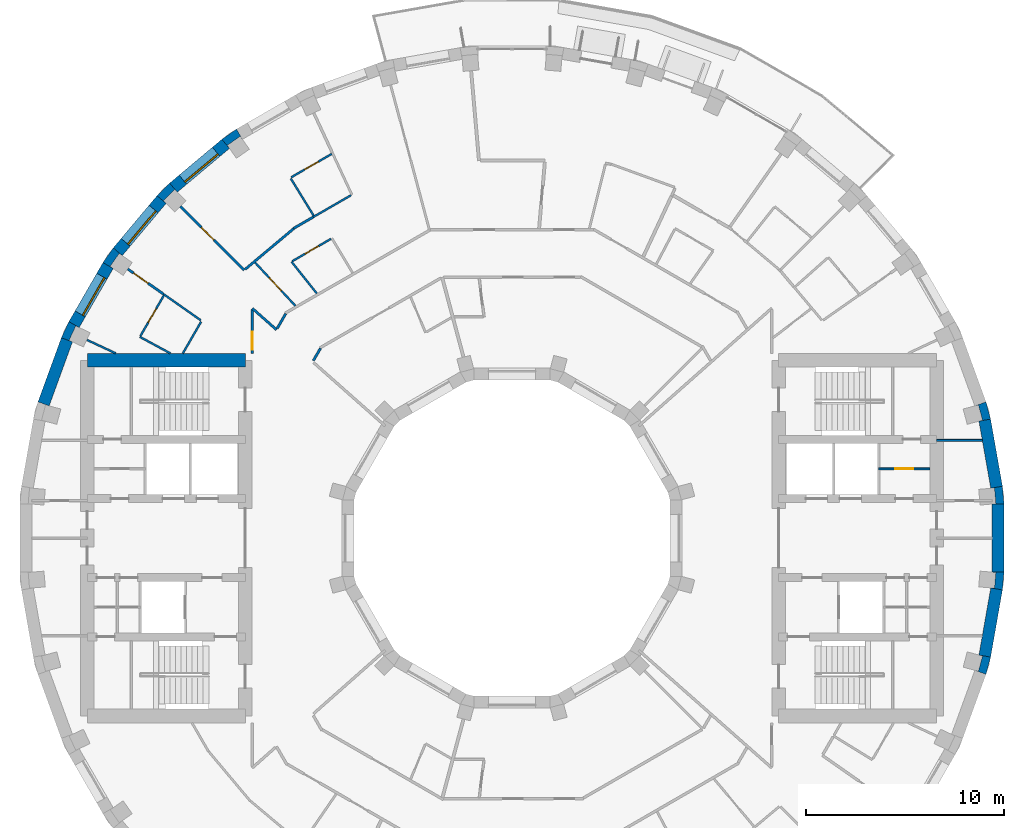
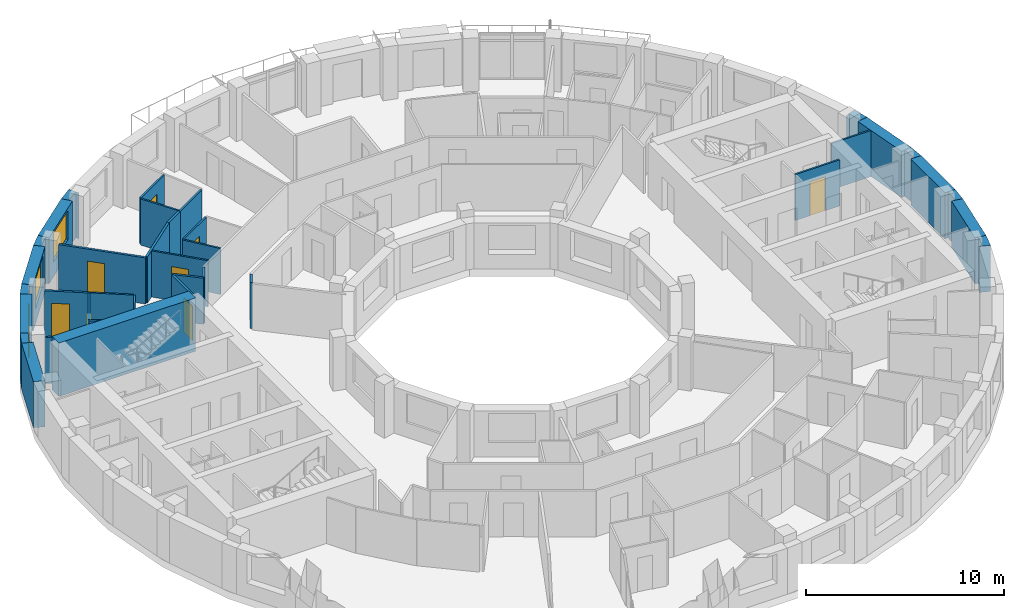
# One storey, part 9 of 13: 37 walls, 8 doors, 3 windows, 11 openings.
"""IFC4 building model written with IfcOpenShell, lengths in metres."""

import ifcopenshell
import ifcopenshell.guid

model = None  # the IFC model being written
_history = None  # IfcOwnerHistory: only IFC2X3 demands one
_inside = {}  # id of a spatial element -> (the spatial element, [elements in it])
_under = {}  # id of a project, library or spatial element -> (it, [spatial elements below it])
_declared = {}  # id of a project -> (the project, [libraries it declares])
_typed = {}  # id of a type object -> (the type object, [elements of that type])
_made_of = {}  # id of a material, layer set ... -> (it, [elements and type objects made of it])


def new_model(schema):
    """Start an empty IFC model of exactly this schema.

    Asked for "IFC4X3", IfcOpenShell would pick the latest addendum, in which some entities
    have other attributes; the version numbers below select the first issue.
    IFC2X3 requires an IfcOwnerHistory on every rooted entity: one is made here for all.
    """
    global model, _history
    if schema == "IFC4X3":
        model = ifcopenshell.file(schema_version=(4, 3, 0, 0))
    else:
        model = ifcopenshell.file(schema=schema)
    _inside.clear()
    _under.clear()
    _declared.clear()
    _typed.clear()
    _made_of.clear()
    _history = None
    if model.schema == "IFC2X3":
        org = make("IfcOrganization", Name="unknown")
        user = make(
            "IfcPersonAndOrganization",
            ThePerson=make("IfcPerson", FamilyName="unknown"),
            TheOrganization=org,
        )
        app = make(
            "IfcApplication",
            ApplicationDeveloper=org,
            Version="unknown",
            ApplicationFullName="unknown",
            ApplicationIdentifier="unknown",
        )
        _history = make(
            "IfcOwnerHistory",
            OwningUser=user,
            OwningApplication=app,
            ChangeAction="ADDED",
            CreationDate=0,
        )
    return model


def make(cls, **values):
    """One entity of the class cls with the attributes given. An attribute that is None is left unset."""
    return model.create_entity(
        cls, **{name: value for name, value in values.items() if value is not None}
    )


def rooted(cls, **values):
    """An entity with a GlobalId (a new one), such as an element, a storey or a relation."""
    return make(cls, GlobalId=ifcopenshell.guid.new(), OwnerHistory=_history, **values)


def si_unit(unit_type, name, prefix=None):
    """IfcSIUnit, for example si_unit("LENGTHUNIT", "METRE", prefix="MILLI")."""
    return make("IfcSIUnit", UnitType=unit_type, Prefix=prefix, Name=name)


def assignment(units):
    """IfcUnitAssignment: the units of a project."""
    return None if units is None else make("IfcUnitAssignment", Units=units)


def point(xyz):
    """IfcCartesianPoint."""
    return None if xyz is None else make("IfcCartesianPoint", Coordinates=xyz)


def direction(xyz):
    """IfcDirection."""
    return None if xyz is None else make("IfcDirection", DirectionRatios=xyz)


def frame(location, z_axis=None, x_axis=None):
    """IfcAxis2Placement3D, a coordinate frame: its origin and axes. An axis left out is left unset."""
    return make(
        "IfcAxis2Placement3D",
        Location=point(location),
        Axis=direction(z_axis),
        RefDirection=direction(x_axis),
    )


def frame_2d(location, x_axis=None):
    """IfcAxis2Placement2D, a coordinate frame in the plane: its origin and x axis."""
    return make(
        "IfcAxis2Placement2D", Location=point(location), RefDirection=direction(x_axis)
    )


def origin():
    """The frame at (0, 0, 0) with its axes left unset."""
    return frame((0.0, 0.0, 0.0))


def place(relative_to, where):
    """IfcLocalPlacement: puts the frame where relative to a parent placement (None: the world)."""
    return make(
        "IfcLocalPlacement", PlacementRelTo=relative_to, RelativePlacement=where
    )


def context(
    kind, dimensions, precision=None, world=None, true_north=None, identifier=None
):
    """IfcGeometricRepresentationContext, for example the 3D "Model" context."""
    return make(
        "IfcGeometricRepresentationContext",
        ContextIdentifier=identifier,
        ContextType=kind,
        CoordinateSpaceDimension=dimensions,
        Precision=precision,
        WorldCoordinateSystem=world,
        TrueNorth=true_north,
    )


def subcontext(parent, identifier, kind, view, scale=None):
    """IfcGeometricRepresentationSubContext, for example "Body" below "Model"."""
    return make(
        "IfcGeometricRepresentationSubContext",
        ContextIdentifier=identifier,
        ContextType=kind,
        ParentContext=parent,
        TargetScale=scale,
        TargetView=view,
    )


def project(units=None, contexts=None):
    """IfcProject with its units and contexts."""
    return rooted(
        "IfcProject",
        Name="project",
        RepresentationContexts=contexts,
        UnitsInContext=assignment(units),
    )


def spatial(cls, under=None, at=None, **own):
    """A site, building, storey or space (cls), placed at a placement, below another one or the project."""
    s = rooted(cls, ObjectPlacement=at, **own)
    if under is not None:
        _under.setdefault(under.id(), (under, []))[1].append(s)
    return s


def polyline(points):
    """IfcPolyline through the points."""
    return make("IfcPolyline", Points=[point(p) for p in points])


def profile(cls, at=None, kind="AREA", **sizes):
    """A parametric profile (cls). Its sizes go by their IFC names, for example OverallWidth=200.0."""
    return make(cls, ProfileType=kind, Position=at, **sizes)


def rectangle(**sizes):
    """IfcRectangleProfileDef."""
    return profile("IfcRectangleProfileDef", **sizes)


def outline(outer, holes=None, kind="AREA"):
    """IfcArbitraryClosedProfileDef: a profile drawn as a closed curve; with holes, ...WithVoids."""
    if holes is None:
        return make("IfcArbitraryClosedProfileDef", ProfileType=kind, OuterCurve=outer)
    return make(
        "IfcArbitraryProfileDefWithVoids",
        ProfileType=kind,
        OuterCurve=outer,
        InnerCurves=holes,
    )


def extrude(swept, where, along, depth):
    """IfcExtrudedAreaSolid: the profile swept, set in the frame where, extruded along a direction by depth."""
    return make(
        "IfcExtrudedAreaSolid",
        SweptArea=swept,
        Position=where,
        ExtrudedDirection=direction(along),
        Depth=depth,
    )


def shape(context_of_items, identifier, shape_type, items):
    """IfcShapeRepresentation: the items that make up one representation, for example the "Body"."""
    return make(
        "IfcShapeRepresentation",
        ContextOfItems=context_of_items,
        RepresentationIdentifier=identifier,
        RepresentationType=shape_type,
        Items=items,
    )


def material(Name=None, Category=None):
    """IfcMaterial."""
    return make("IfcMaterial", Name=Name, Category=Category)


def layer(
    of_material, thickness, ventilated=None, Name=None, Category=None, Priority=None
):
    """IfcMaterialLayer: one layer of a wall or slab, of a material (None: an air gap)."""
    return make(
        "IfcMaterialLayer",
        Material=of_material,
        LayerThickness=thickness,
        IsVentilated=ventilated,
        Name=Name,
        Category=Category,
        Priority=Priority,
    )


def layer_set(layers, Name=None):
    """IfcMaterialLayerSet."""
    return make("IfcMaterialLayerSet", MaterialLayers=layers, LayerSetName=Name)


def made_of(thing, what):
    """Note that an element or type object is made of a material, layer set ...; save() writes the relation."""
    if what is not None:
        _made_of.setdefault(what.id(), (what, []))[1].append(thing)
    return thing


def type_object(cls, material=None, **own):
    """A type object (cls), such as IfcWallType, which elements share."""
    return made_of(rooted(cls, **own), material)


def element(
    cls,
    number,
    at=None,
    inside=None,
    cuts=None,
    type_object=None,
    material=None,
    context=None,
    identifier="Body",
    shape_type=None,
    held_by="IfcProductDefinitionShape",
    body=None,
    shapes=None,
    **own,
):
    """One element of the class cls, such as IfcWall. Its Tag is "e" and its number.

    at: its placement. inside: the storey or other place that contains it. cuts: it is an
    opening in that element (IfcRelVoidsElement). A single representation is given by context,
    identifier, shape_type and body (its items); several are given by shapes. held_by: the class
    of the entity that holds the representations. save() writes the other relations.
    """
    e = rooted(cls, Tag="e%d" % number, ObjectPlacement=at, **own)
    if body is not None:
        shapes = [shape(context, identifier, shape_type, body)]
    if shapes is not None:
        e.Representation = make(held_by, Representations=shapes)
    if inside is not None:
        _inside.setdefault(inside.id(), (inside, []))[1].append(e)
    if cuts is not None:
        rooted(
            "IfcRelVoidsElement", RelatingBuildingElement=cuts, RelatedOpeningElement=e
        )
    if type_object is not None:
        _typed.setdefault(type_object.id(), (type_object, []))[1].append(e)
    return made_of(e, material)


def fill(opening, filler):
    """IfcRelFillsElement: the door or window that sits in an opening."""
    return rooted(
        "IfcRelFillsElement",
        RelatingOpeningElement=opening,
        RelatedBuildingElement=filler,
    )


def aggregate(whole, parts):
    """IfcRelAggregates: a whole, such as a stair, and the parts it consists of."""
    return rooted("IfcRelAggregates", RelatingObject=whole, RelatedObjects=parts)


def save(model, path):
    """Write the relations noted so far, then the file.

    IfcRelAggregates (storeys below a building ...), IfcRelContainedInSpatialStructure (elements
    in a storey), IfcRelDefinesByType, IfcRelAssociatesMaterial and IfcRelDeclares: one each for
    every whole, place, type object, material and project.
    """
    for whole, parts in _under.values():
        aggregate(whole, parts)
    for where, things in _inside.values():
        rooted(
            "IfcRelContainedInSpatialStructure",
            RelatedElements=things,
            RelatingStructure=where,
        )
    for kind, things in _typed.values():
        rooted("IfcRelDefinesByType", RelatedObjects=things, RelatingType=kind)
    for what, things in _made_of.values():
        rooted("IfcRelAssociatesMaterial", RelatedObjects=things, RelatingMaterial=what)
    for by, libraries in _declared.values():
        rooted("IfcRelDeclares", RelatingContext=by, RelatedDefinitions=libraries)
    model.write(path)


model = new_model("IFC4")

# Units and contexts
model_context = context("Model", 3, precision=1e-05, world=origin(), true_north=direction((0.0, 1.0)))
body_context = subcontext(model_context, "Body", "Model", "MODEL_VIEW")
ifc_project = project(units=[si_unit("LENGTHUNIT", "METRE"), si_unit("AREAUNIT", "SQUARE_METRE"), si_unit("VOLUMEUNIT", "CUBIC_METRE"), si_unit("PLANEANGLEUNIT", "RADIAN"), si_unit("MASSUNIT", "GRAM", prefix="KILO")], contexts=[model_context])

# Site, building, storey
site_placement = place(None, origin())
site = spatial("IfcSite", under=ifc_project, at=site_placement, CompositionType="ELEMENT")
building_placement = place(site_placement, origin())
building = spatial("IfcBuilding", under=site, at=building_placement, Name="Saqina Gate Tower", CompositionType="ELEMENT")
storey_placement = place(building_placement, frame((0.0, 0.0, 203.699951171875)))
storey = spatial("IfcBuildingStorey", under=building, at=storey_placement, Name="L58", CompositionType="ELEMENT", Elevation=203.699951171875)

# Walls
ifc_material_1 = material(Name="Brick masonry (buff)", Category="masonry")
wall_type_1 = type_object("IfcWallType", Name="BRICK PIER COPING BUFF", PredefinedType="SOLIDWALL", material=ifc_material_1)
wall_1_placement = place(storey_placement, origin())
element("IfcWall", 1, at=wall_1_placement, inside=storey, type_object=wall_type_1, Name="Pier cap L58 column 1", PredefinedType="SOLIDWALL", context=body_context, shape_type="SweptSolid", body=[
    extrude(outline(polyline([(24.90478515625, 1.724853515625), (24.825927734375, 2.6259765625), (24.235107421875, 2.521728515625), (24.421630859375, 2.5380859375), (24.491455078125, 1.7412109375), (24.304931640625, 1.724853515625), (24.90478515625, 1.724853515625)])), origin(), (0.0, 0.0, 1.0), 2.85009765625),
])
wall_2_placement = place(storey_placement, origin())
element("IfcWall", 2, at=wall_2_placement, inside=storey, type_object=wall_type_1, Name="Pier cap L58 column 2", PredefinedType="SOLIDWALL", context=body_context, shape_type="SweptSolid", body=[
    extrude(outline(polyline([(24.22705078125, 6.0234375), (23.992919921875, 6.897216796875), (23.428955078125, 6.69189453125), (23.610107421875, 6.740478515625), (23.81689453125, 5.967529296875), (23.635986328125, 5.919189453125), (24.22705078125, 6.0234375)])), origin(), (0.0, 0.0, 1.0), 2.85009765625),
])
wall_3_placement = place(storey_placement, origin())
element("IfcWall", 3, at=wall_3_placement, inside=storey, type_object=wall_type_1, Name="Pier cap L58 column 13", PredefinedType="SOLIDWALL", context=body_context, shape_type="SweptSolid", body=[
    extrude(outline(polyline([(-13.9462890625, 20.705810546875), (-14.687255859375, 20.18701171875), (-14.301513671875, 19.727294921875), (-14.408935546875, 19.880859375), (-13.753662109375, 20.339599609375), (-13.646240234375, 20.186279296875), (-13.9462890625, 20.705810546875)])), origin(), (0.0, 0.0, 1.0), 2.85009765625),
])
wall_4_placement = place(storey_placement, origin())
element("IfcWall", 4, at=wall_4_placement, inside=storey, type_object=wall_type_1, Name="Pier cap L58 column 14", PredefinedType="SOLIDWALL", context=body_context, shape_type="SweptSolid", body=[
    extrude(outline(polyline([(-17.969482421875, 17.329833984375), (-17.510009765625, 16.944091796875), (-17.642333984375, 17.07666015625), (-17.07666015625, 17.642333984375), (-16.944091796875, 17.510009765625), (-17.329833984375, 17.969482421875), (-17.969482421875, 17.329833984375)])), origin(), (0.0, 0.0, 1.0), 2.85009765625),
])
wall_5_placement = place(storey_placement, origin())
element("IfcWall", 5, at=wall_5_placement, inside=storey, type_object=wall_type_1, Name="Pier cap L58 column 15", PredefinedType="SOLIDWALL", context=body_context, shape_type="SweptSolid", body=[
    extrude(outline(polyline([(-20.18701171875, 14.687255859375), (-20.705810546875, 13.9462890625), (-20.186279296875, 13.646240234375), (-20.339599609375, 13.753662109375), (-19.880859375, 14.408935546875), (-19.727294921875, 14.301513671875), (-20.18701171875, 14.687255859375)])), origin(), (0.0, 0.0, 1.0), 2.85009765625),
])
wall_6_placement = place(storey_placement, origin())
element("IfcWall", 6, at=wall_6_placement, inside=storey, type_object=wall_type_1, Name="Pier cap L58 column 16", PredefinedType="SOLIDWALL", context=body_context, shape_type="SweptSolid", body=[
    extrude(outline(polyline([(-22.81298828125, 10.138916015625), (-22.249267578125, 9.93359375), (-22.4189453125, 10.0126953125), (-22.080810546875, 10.73779296875), (-21.9111328125, 10.65869140625), (-22.4306640625, 10.958740234375), (-22.81298828125, 10.138916015625)])), origin(), (0.0, 0.0, 1.0), 2.85009765625),
])
wall_7_placement = place(storey_placement, origin())
element("IfcWall", 7, at=wall_7_placement, inside=storey, type_object=wall_type_1, Name="Pier cap L58 column 35", PredefinedType="SOLIDWALL", context=body_context, shape_type="SweptSolid", body=[
    extrude(outline(polyline([(24.22705078125, -6.0234375), (23.635986328125, -5.919189453125), (23.81689453125, -5.967529296875), (23.610107421875, -6.740478515625), (23.428955078125, -6.69189453125), (23.992919921875, -6.897216796875), (24.22705078125, -6.0234375)])), origin(), (0.0, 0.0, 1.0), 2.85009765625),
])
wall_8_placement = place(storey_placement, origin())
element("IfcWall", 8, at=wall_8_placement, inside=storey, type_object=wall_type_1, Name="Pier cap L58 column 36", PredefinedType="SOLIDWALL", context=body_context, shape_type="SweptSolid", body=[
    extrude(outline(polyline([(24.825927734375, -2.6259765625), (24.90478515625, -1.724853515625), (24.304931640625, -1.724853515625), (24.491455078125, -1.7412109375), (24.421630859375, -2.5380859375), (24.235107421875, -2.521728515625), (24.825927734375, -2.6259765625)])), origin(), (0.0, 0.0, 1.0), 2.85009765625),
])
ifc_material_2 = material(Name="Gypsum board on steel studs", Category="steel")
ifc_layer_1 = layer(ifc_material_2, 0.10009765625)
ifc_layer_set_1 = layer_set([ifc_layer_1], Name="CORE PARTITION")
wall_type_2 = type_object("IfcWallType", Name="CORE PARTITION", PredefinedType="PARTITIONING", material=ifc_layer_set_1)
wall_9_placement = place(storey_placement, frame((21.5, 4.949951171875, 0.0), z_axis=(0.0, 0.0, 1.0), x_axis=(1.0, 0.0, 0.0)))
element("IfcWall", 9, at=wall_9_placement, inside=storey, type_object=wall_type_2, Name="L58-CP-E01", PredefinedType="PARTITIONING", context=body_context, shape_type="SweptSolid", body=[
    extrude(rectangle(XDim=2.306884765625, YDim=0.10009765625, at=frame_2d((1.1533203125, 0.0))), origin(), (0.0, 0.0, 1.0), 2.85009765625),
])

# Wall, opening, door
wall_10_placement = place(storey_placement, frame((18.56005859375, 3.5, 0.0), z_axis=(0.0, 0.0, 1.0), x_axis=(1.0, 0.0, 0.0)))
wall_10 = element("IfcWall", 10, at=wall_10_placement, inside=storey, type_object=wall_type_2, Name="L58-CP-E10", PredefinedType="PARTITIONING", context=body_context, shape_type="SweptSolid", body=[
    extrude(rectangle(XDim=2.58984375, YDim=0.10009765625, at=frame_2d((1.294921875, 0.0))), origin(), (0.0, 0.0, 1.0), 2.85009765625),
])
opening_1_placement = place(wall_10_placement, frame((0.844970703125, 0.0, 0.0)))
opening_1 = element("IfcOpeningElement", 11, at=opening_1_placement, cuts=wall_10, Name="Opening G17-D97", PredefinedType="OPENING", context=body_context, shape_type="SweptSolid", body=[
    extrude(rectangle(XDim=0.89990234375, YDim=2.10009765625, at=frame_2d((0.449951171875, 1.050048828125))), frame((0.0, 0.06201171875, 0.0), z_axis=(0.0, -1.0, 0.0), x_axis=(1.0, 0.0, 0.0)), (0.0, 0.0, 1.0), 0.1240234375),
])
ifc_material_3 = material(Name="Steel-framed fire door leaf, EI 60", Category="steel")
door_type_1 = type_object("IfcDoorType", Name="SERVICE ROOM DOOR 900", OperationType="SINGLE_SWING_LEFT", PredefinedType="DOOR", material=ifc_material_3)
door_1_placement = place(opening_1_placement, origin())
door_1 = element("IfcDoor", 12, at=door_1_placement, inside=storey, type_object=door_type_1, Name="L58-CD-E08", OperationType="SINGLE_SWING_RIGHT", OverallHeight=2.10009765625, OverallWidth=0.89990234375, PredefinedType="DOOR", context=body_context, shape_type="SweptSolid", body=[
    extrude(rectangle(XDim=0.89990234375, YDim=2.10009765625, at=frame_2d((0.449951171875, 1.050048828125))), frame((0.0, 0.02490234375, 0.0), z_axis=(0.0, -1.0, 0.0), x_axis=(1.0, 0.0, 0.0)), (0.0, 0.0, 1.0), 0.050048828125),
])
fill(opening_1, door_1)

# Wall, opening, window
ifc_material_4 = material(Name="Brick masonry (buff)", Category="masonry")
ifc_layer_2 = layer(ifc_material_4, 0.60009765625)
ifc_layer_set_2 = layer_set([ifc_layer_2], Name="FW-BRICK-BUFF")
wall_type_3 = type_object("IfcWallType", Name="FW-BRICK-BUFF", PredefinedType="SOLIDWALL", material=ifc_layer_set_2)
wall_11_placement = place(storey_placement, frame((-14.494384765625, 19.95703125, 0.0), z_axis=(0.0, 0.0, 1.0), x_axis=(-0.766058884809, -0.642770398358, 0.0)))
wall_11 = element("IfcWall", 13, at=wall_11_placement, inside=storey, type_object=wall_type_3, Name="Facade wall L58 facet 13", PredefinedType="SOLIDWALL", context=body_context, shape_type="SweptSolid", body=[
    extrude(rectangle(XDim=3.449462890625, YDim=0.60009765625, at=frame_2d((1.724609375, 0.0))), origin(), (0.0, 0.0, 1.0), 2.85009765625),
])
opening_2_placement = place(wall_11_placement, frame((0.625, 0.0, 0.89990234375)))
opening_2 = element("IfcOpeningElement", 14, at=opening_2_placement, cuts=wall_11, Name="Opening G17-W07", PredefinedType="OPENING", context=body_context, shape_type="SweptSolid", body=[
    extrude(rectangle(XDim=2.199951171875, YDim=1.800048828125, at=frame_2d((1.10009765625, 0.89990234375))), frame((0.0, 0.31201171875, 0.0), z_axis=(0.0, -1.0, 0.0), x_axis=(1.0, 0.0, 0.0)), (0.0, 0.0, 1.0), 0.6240234375),
])
ifc_material_5 = material(Name="Aluminium glazing", Category="aluminium")
window_type = type_object("IfcWindowType", Name="WN-C", PartitioningType="SINGLE_PANEL", PredefinedType="WINDOW", material=ifc_material_5)
window_1_placement = place(opening_2_placement, origin())
window_1 = element("IfcWindow", 15, at=window_1_placement, inside=storey, type_object=window_type, Name="Window L58 facet 13", OverallHeight=1.800048828125, OverallWidth=2.199951171875, PartitioningType="SINGLE_PANEL", PredefinedType="WINDOW", context=body_context, shape_type="SweptSolid", body=[
    extrude(rectangle(XDim=2.199951171875, YDim=1.800048828125, at=frame_2d((1.10009765625, 0.89990234375))), frame((0.0, 0.179931640625, 0.0), z_axis=(0.0, -1.0, 0.0), x_axis=(1.0, 0.0, 0.0)), (0.0, 0.0, 1.0), 0.06005859375),
])
fill(opening_2, window_1)

wall_12_placement = place(storey_placement, frame((-17.73974609375, 17.136962890625, 0.0), z_axis=(0.0, 0.0, 1.0), x_axis=(-0.642770398358, -0.766058884809, 0.0)))
wall_12 = element("IfcWall", 16, at=wall_12_placement, inside=storey, type_object=wall_type_3, Name="Facade wall L58 facet 14", PredefinedType="SOLIDWALL", context=body_context, shape_type="SweptSolid", body=[
    extrude(rectangle(XDim=3.449462890625, YDim=0.60009765625, at=frame_2d((1.724609375, 0.0))), origin(), (0.0, 0.0, 1.0), 2.85009765625),
])
opening_3_placement = place(wall_12_placement, frame((0.625, 0.0, 0.89990234375)))
opening_3 = element("IfcOpeningElement", 17, at=opening_3_placement, cuts=wall_12, Name="Opening G17-W08", PredefinedType="OPENING", context=body_context, shape_type="SweptSolid", body=[
    extrude(rectangle(XDim=2.199951171875, YDim=1.800048828125, at=frame_2d((1.10009765625, 0.89990234375))), frame((0.0, 0.31201171875, 0.0), z_axis=(0.0, -1.0, 0.0), x_axis=(1.0, 0.0, 0.0)), (0.0, 0.0, 1.0), 0.6240234375),
])
window_2_placement = place(opening_3_placement, origin())
window_2 = element("IfcWindow", 18, at=window_2_placement, inside=storey, type_object=window_type, Name="Window L58 facet 14", OverallHeight=1.800048828125, OverallWidth=2.199951171875, PartitioningType="SINGLE_PANEL", PredefinedType="WINDOW", context=body_context, shape_type="SweptSolid", body=[
    extrude(rectangle(XDim=2.199951171875, YDim=1.800048828125, at=frame_2d((1.10009765625, 0.89990234375))), frame((0.0, 0.179931640625, 0.0), z_axis=(0.0, -1.0, 0.0), x_axis=(1.0, 0.0, 0.0)), (0.0, 0.0, 1.0), 0.06005859375),
])
fill(opening_3, window_2)

wall_13_placement = place(storey_placement, frame((-20.446044921875, 13.796142578125, 0.0), z_axis=(0.0, 0.0, 1.0), x_axis=(-0.499998129301, -0.86602648383, 0.0)))
wall_13 = element("IfcWall", 19, at=wall_13_placement, inside=storey, type_object=wall_type_3, Name="Facade wall L58 facet 15", PredefinedType="SOLIDWALL", context=body_context, shape_type="SweptSolid", body=[
    extrude(rectangle(XDim=3.44970703125, YDim=0.60009765625, at=frame_2d((1.724853515625, 0.0))), origin(), (0.0, 0.0, 1.0), 2.85009765625),
])
opening_4_placement = place(wall_13_placement, frame((0.625, 0.0, 0.89990234375)))
opening_4 = element("IfcOpeningElement", 20, at=opening_4_placement, cuts=wall_13, Name="Opening G17-W09", PredefinedType="OPENING", context=body_context, shape_type="SweptSolid", body=[
    extrude(rectangle(XDim=2.199951171875, YDim=1.800048828125, at=frame_2d((1.10009765625, 0.89990234375))), frame((0.0, 0.31201171875, 0.0), z_axis=(0.0, -1.0, 0.0), x_axis=(1.0, 0.0, 0.0)), (0.0, 0.0, 1.0), 0.6240234375),
])
window_3_placement = place(opening_4_placement, origin())
window_3 = element("IfcWindow", 21, at=window_3_placement, inside=storey, type_object=window_type, Name="Window L58 facet 15", OverallHeight=1.800048828125, OverallWidth=2.199951171875, PartitioningType="SINGLE_PANEL", PredefinedType="WINDOW", context=body_context, shape_type="SweptSolid", body=[
    extrude(rectangle(XDim=2.199951171875, YDim=1.800048828125, at=frame_2d((1.10009765625, 0.89990234375))), frame((0.0, 0.179931640625, 0.0), z_axis=(0.0, -1.0, 0.0), x_axis=(1.0, 0.0, 0.0)), (0.0, 0.0, 1.0), 0.06005859375),
])
fill(opening_4, window_3)

# Walls
ifc_material_6 = material(Name="Glazed ceramic tile", Category="ceramic")
ifc_layer_3 = layer(ifc_material_6, 0.60009765625)
ifc_layer_set_3 = layer_set([ifc_layer_3], Name="FW-TILE")
wall_type_4 = type_object("IfcWallType", Name="FW-TILE", PredefinedType="SOLIDWALL", material=ifc_layer_set_3)
for number, where, z_axis, x_axis, name in (
    (22, (24.530517578125, 2.573974609375, 0.0), (0.0, 0.0, 1.0), (-0.173607684551, 0.984814892183, 0.0), "Facade wall L58 facet 1"),
    (23, (23.931640625, -5.97119140625, 0.0), (0.0, 0.0, 1.0), (0.173607684551, 0.984814892183, 0.0), "Facade wall L58 facet 35"),
):
    element("IfcWall", number, at=place(storey_placement, frame(where, z_axis=z_axis, x_axis=x_axis)), inside=storey, type_object=wall_type_4, Name=name, PredefinedType="SOLIDWALL", context=body_context, shape_type="SweptSolid", body=[
        extrude(rectangle(XDim=3.44970703125, YDim=0.60009765625, at=frame_2d((1.724853515625, 0.0))), origin(), (0.0, 0.0, 1.0), 2.85009765625),
    ])
ifc_material_7 = material(Name="Glazed ceramic tile (dark blue)", Category="ceramic")
ifc_layer_4 = layer(ifc_material_7, 0.60009765625)
ifc_layer_set_4 = layer_set([ifc_layer_4], Name="FW-TILE-CB")
wall_type_5 = type_object("IfcWallType", Name="FW-TILE-CB", PredefinedType="SOLIDWALL", material=ifc_layer_set_4)
for number, where, z_axis, x_axis, name in (
    (24, (-22.531005859375, 10.0361328125, 0.0), (0.0, 0.0, 1.0), (-0.342032843455, -0.93968799822, 0.0), "Facade wall L58 facet 16"),
    (25, (24.60498046875, -1.724853515625, 0.0), (0.0, 0.0, 1.0), (0.0, 1.0, 0.0), "Facade wall L58 facet 36"),
):
    element("IfcWall", number, at=place(storey_placement, frame(where, z_axis=z_axis, x_axis=x_axis)), inside=storey, type_object=wall_type_5, Name=name, PredefinedType="SOLIDWALL", context=body_context, shape_type="SweptSolid", body=[
        extrude(rectangle(XDim=3.44970703125, YDim=0.60009765625, at=frame_2d((1.724853515625, 0.0))), origin(), (0.0, 0.0, 1.0), 2.85009765625),
    ])
ifc_material_8 = material(Name="Gypsum board on steel studs, 100 mm", Category="steel")
ifc_layer_5 = layer(ifc_material_8, 0.10009765625)
ifc_layer_set_5 = layer_set([ifc_layer_5], Name="PARTITION 100")
wall_type_6 = type_object("IfcWallType", Name="PARTITION 100", PredefinedType="PARTITIONING", material=ifc_layer_set_5)
wall_14_placement = place(storey_placement, frame((-11.19287109375, 18.19482421875, 0.0), z_axis=(0.0, 0.0, 1.0), x_axis=(0.524029299745, -0.851700236591, 0.0)))
element("IfcWall", 26, at=wall_14_placement, inside=storey, type_object=wall_type_6, Name="PARTITION PW3-12", PredefinedType="PARTITIONING", context=body_context, shape_type="SweptSolid", body=[
    extrude(rectangle(XDim=2.199462890625, YDim=0.10009765625, at=frame_2d((1.099609375, 0.0))), origin(), (0.0, 0.0, 1.0), 2.85009765625),
])
wall_15_placement = place(storey_placement, frame((-11.162109375, 13.99169921875, 0.0), z_axis=(0.0, 0.0, 1.0), x_axis=(0.62359563311, -0.781747073142, 0.0)))
element("IfcWall", 27, at=wall_15_placement, inside=storey, type_object=wall_type_6, Name="PARTITION PW3-14", PredefinedType="PARTITIONING", context=body_context, shape_type="SweptSolid", body=[
    extrude(rectangle(XDim=2.059326171875, YDim=0.10009765625, at=frame_2d((1.02978515625, 0.0))), origin(), (0.0, 0.0, 1.0), 2.85009765625),
])

# Wall, opening, door
wall_16_placement = place(storey_placement, frame((-13.00439453125, 13.9462890625, 0.0), z_axis=(0.0, 0.0, 1.0), x_axis=(0.681856446627, -0.731486012302, 0.0)))
wall_16 = element("IfcWall", 28, at=wall_16_placement, inside=storey, type_object=wall_type_6, Name="PARTITION PW3-20", PredefinedType="PARTITIONING", context=body_context, shape_type="SweptSolid", body=[
    extrude(rectangle(XDim=2.995849609375, YDim=0.10009765625, at=frame_2d((1.498046875, 0.0))), origin(), (0.0, 0.0, 1.0), 2.85009765625),
])
opening_5_placement = place(wall_16_placement, frame((1.048095703125, 0.0, 0.0)))
opening_5 = element("IfcOpeningElement", 29, at=opening_5_placement, cuts=wall_16, Name="Opening G17-D22", PredefinedType="OPENING", context=body_context, shape_type="SweptSolid", body=[
    extrude(rectangle(XDim=0.89990234375, YDim=2.10009765625, at=frame_2d((0.449951171875, 1.050048828125))), frame((0.0, 0.06201171875, 0.0), z_axis=(0.0, -1.0, 0.0), x_axis=(1.0, 0.0, 0.0)), (0.0, 0.0, 1.0), 0.1240234375),
])
ifc_material_9 = material(Name="Timber door leaf, 900 mm", Category="wood")
door_type_2 = type_object("IfcDoorType", Name="DOOR 900 TIMBER", OperationType="SINGLE_SWING_LEFT", PredefinedType="DOOR", material=ifc_material_9)
door_2_placement = place(opening_5_placement, origin())
door_2 = element("IfcDoor", 30, at=door_2_placement, inside=storey, type_object=door_type_2, Name="DOOR G17-D22", OperationType="SINGLE_SWING_RIGHT", OverallHeight=2.10009765625, OverallWidth=0.89990234375, PredefinedType="DOOR", context=body_context, shape_type="SweptSolid", body=[
    extrude(rectangle(XDim=0.89990234375, YDim=2.10009765625, at=frame_2d((0.449951171875, 1.050048828125))), frame((0.0, 0.02490234375, 0.0), z_axis=(0.0, -1.0, 0.0), x_axis=(1.0, 0.0, 0.0)), (0.0, 0.0, 1.0), 0.050048828125),
])
fill(opening_5, door_2)

# Walls
wall_17_placement = place(storey_placement, frame((-17.641845703125, 12.352783203125, 0.0), z_axis=(0.0, 0.0, 1.0), x_axis=(0.818197075576, -0.57493786231, 0.0)))
element("IfcWall", 31, at=wall_17_placement, inside=storey, type_object=wall_type_6, Name="PARTITION PW3-26", PredefinedType="PARTITIONING", context=body_context, shape_type="SweptSolid", body=[
    extrude(rectangle(XDim=2.308349609375, YDim=0.10009765625, at=frame_2d((1.154296875, 0.0))), origin(), (0.0, 0.0, 1.0), 2.85009765625),
])
wall_18_placement = place(storey_placement, frame((-18.8359375, 10.18505859375, 0.0), z_axis=(0.0, 0.0, 1.0), x_axis=(0.879737947055, -0.475458877833, 0.0)))
element("IfcWall", 32, at=wall_18_placement, inside=storey, type_object=wall_type_6, Name="PARTITION PW3-30", PredefinedType="PARTITIONING", context=body_context, shape_type="SweptSolid", body=[
    extrude(rectangle(XDim=1.756103515625, YDim=0.10009765625, at=frame_2d((0.8779296875, 0.0))), origin(), (0.0, 0.0, 1.0), 2.85009765625),
])
wall_19_placement = place(storey_placement, frame((-21.515625, 10.032958984375, 0.0), z_axis=(0.0, 0.0, 1.0), x_axis=(0.906329754533, -0.422571149096, 0.0)))
element("IfcWall", 33, at=wall_19_placement, inside=storey, type_object=wall_type_6, Name="PARTITION PW3-31", PredefinedType="PARTITIONING", context=body_context, shape_type="SweptSolid", body=[
    extrude(rectangle(XDim=1.615966796875, YDim=0.10009765625, at=frame_2d((0.80810546875, 0.0))), origin(), (0.0, 0.0, 1.0), 2.85009765625),
])

# Wall, opening, door
wall_20_placement = place(storey_placement, frame((-11.11669921875, 14.019775390625, 0.0), z_axis=(0.0, 0.0, 1.0), x_axis=(0.866084712978, 0.49989725939, 0.0)))
wall_20 = element("IfcWall", 34, at=wall_20_placement, inside=storey, type_object=wall_type_6, Name="PARTITION PW3-44", PredefinedType="PARTITIONING", context=body_context, shape_type="SweptSolid", body=[
    extrude(rectangle(XDim=2.2568359375, YDim=0.10009765625, at=frame_2d((1.12841796875, 0.0))), origin(), (0.0, 0.0, 1.0), 2.85009765625),
])
opening_6_placement = place(wall_20_placement, frame((0.728515625, 0.0, 0.0)))
opening_6 = element("IfcOpeningElement", 35, at=opening_6_placement, cuts=wall_20, Name="Opening G17-D21", PredefinedType="OPENING", context=body_context, shape_type="SweptSolid", body=[
    extrude(rectangle(XDim=0.800048828125, YDim=2.10009765625, at=frame_2d((0.39990234375, 1.050048828125))), frame((0.0, 0.06201171875, 0.0), z_axis=(0.0, -1.0, 0.0), x_axis=(1.0, 0.0, 0.0)), (0.0, 0.0, 1.0), 0.1240234375),
])
ifc_material_10 = material(Name="Timber door leaf, 800 mm", Category="wood")
door_type_3 = type_object("IfcDoorType", Name="DOOR 800 TIMBER", OperationType="SINGLE_SWING_LEFT", PredefinedType="DOOR", material=ifc_material_10)
door_3_placement = place(opening_6_placement, origin())
door_3 = element("IfcDoor", 36, at=door_3_placement, inside=storey, type_object=door_type_3, Name="DOOR G17-D21", OperationType="SINGLE_SWING_LEFT", OverallHeight=2.10009765625, OverallWidth=0.800048828125, PredefinedType="DOOR", context=body_context, shape_type="SweptSolid", body=[
    extrude(rectangle(XDim=0.800048828125, YDim=2.10009765625, at=frame_2d((0.39990234375, 1.050048828125))), frame((0.0, 0.02490234375, 0.0), z_axis=(0.0, -1.0, 0.0), x_axis=(1.0, 0.0, 0.0)), (0.0, 0.0, 1.0), 0.050048828125),
])
fill(opening_6, door_3)

# Wall
wall_21_placement = place(storey_placement, frame((-10.058349609375, 16.25341796875, 0.0), z_axis=(0.0, 0.0, 1.0), x_axis=(0.866039875853, 0.499974932805, 0.0)))
element("IfcWall", 37, at=wall_21_placement, inside=storey, type_object=wall_type_6, Name="PARTITION PW3-45", PredefinedType="PARTITIONING", context=body_context, shape_type="SweptSolid", body=[
    extrude(rectangle(XDim=2.2041015625, YDim=0.10009765625, at=frame_2d((1.10205078125, 0.0))), origin(), (0.0, 0.0, 1.0), 2.85009765625),
])

# Wall, opening, door
wall_22_placement = place(storey_placement, frame((-11.1767578125, 18.263916015625, 0.0), z_axis=(0.0, 0.0, 1.0), x_axis=(0.866180437728, 0.49973137714, 0.0)))
wall_22 = element("IfcWall", 38, at=wall_22_placement, inside=storey, type_object=wall_type_6, Name="PARTITION PW3-46", PredefinedType="PARTITIONING", context=body_context, shape_type="SweptSolid", body=[
    extrude(rectangle(XDim=2.368408203125, YDim=0.10009765625, at=frame_2d((1.18408203125, 0.0))), origin(), (0.0, 0.0, 1.0), 2.85009765625),
])
opening_7_placement = place(wall_22_placement, frame((0.78515625, 0.0, 0.0)))
opening_7 = element("IfcOpeningElement", 39, at=opening_7_placement, cuts=wall_22, Name="Opening G17-D19", PredefinedType="OPENING", context=body_context, shape_type="SweptSolid", body=[
    extrude(rectangle(XDim=0.800048828125, YDim=2.10009765625, at=frame_2d((0.39990234375, 1.050048828125))), frame((0.0, 0.06201171875, 0.0), z_axis=(0.0, -1.0, 0.0), x_axis=(1.0, 0.0, 0.0)), (0.0, 0.0, 1.0), 0.1240234375),
])
door_4_placement = place(opening_7_placement, origin())
door_4 = element("IfcDoor", 40, at=door_4_placement, inside=storey, type_object=door_type_3, Name="DOOR G17-D19", OperationType="SINGLE_SWING_RIGHT", OverallHeight=2.10009765625, OverallWidth=0.800048828125, PredefinedType="DOOR", context=body_context, shape_type="SweptSolid", body=[
    extrude(rectangle(XDim=0.800048828125, YDim=2.10009765625, at=frame_2d((0.39990234375, 1.050048828125))), frame((0.0, 0.02490234375, 0.0), z_axis=(0.0, -1.0, 0.0), x_axis=(1.0, 0.0, 0.0)), (0.0, 0.0, 1.0), 0.050048828125),
])
fill(opening_7, door_4)

# Wall
wall_23_placement = place(storey_placement, frame((-16.662109375, 9.35009765625, 0.0), z_axis=(0.0, 0.0, 1.0), x_axis=(0.499752869805, 0.866168037463, 0.0)))
element("IfcWall", 41, at=wall_23_placement, inside=storey, type_object=wall_type_6, Name="PARTITION PW3-59", PredefinedType="PARTITIONING", context=body_context, shape_type="SweptSolid", body=[
    extrude(rectangle(XDim=1.85302734375, YDim=0.10009765625, at=frame_2d((0.926513671875, 0.0))), origin(), (0.0, 0.0, 1.0), 2.85009765625),
])

# Wall, opening, door
wall_24_placement = place(storey_placement, frame((-18.81103515625, 10.228271484375, 0.0), z_axis=(0.0, 0.0, 1.0), x_axis=(0.500061319399, 0.865989998118, 0.0)))
wall_24 = element("IfcWall", 42, at=wall_24_placement, inside=storey, type_object=wall_type_6, Name="PARTITION PW3-60", PredefinedType="PARTITIONING", context=body_context, shape_type="SweptSolid", body=[
    extrude(rectangle(XDim=2.369873046875, YDim=0.10009765625, at=frame_2d((1.18505859375, 0.0))), origin(), (0.0, 0.0, 1.0), 2.85009765625),
])
opening_8_placement = place(wall_24_placement, frame((0.784912109375, 0.0, 0.0)))
opening_8 = element("IfcOpeningElement", 43, at=opening_8_placement, cuts=wall_24, Name="Opening G17-D26", PredefinedType="OPENING", context=body_context, shape_type="SweptSolid", body=[
    extrude(rectangle(XDim=0.800048828125, YDim=2.10009765625, at=frame_2d((0.39990234375, 1.050048828125))), frame((0.0, 0.06201171875, 0.0), z_axis=(0.0, -1.0, 0.0), x_axis=(1.0, 0.0, 0.0)), (0.0, 0.0, 1.0), 0.1240234375),
])
door_5_placement = place(opening_8_placement, origin())
door_5 = element("IfcDoor", 44, at=door_5_placement, inside=storey, type_object=door_type_3, Name="DOOR G17-D26", OperationType="SINGLE_SWING_RIGHT", OverallHeight=2.10009765625, OverallWidth=0.800048828125, PredefinedType="DOOR", context=body_context, shape_type="SweptSolid", body=[
    extrude(rectangle(XDim=0.800048828125, YDim=2.10009765625, at=frame_2d((0.39990234375, 1.050048828125))), frame((0.0, 0.02490234375, 0.0), z_axis=(0.0, -1.0, 0.0), x_axis=(1.0, 0.0, 0.0)), (0.0, 0.0, 1.0), 0.050048828125),
])
fill(opening_8, door_5)

ifc_material_11 = material(Name="Gypsum board on steel studs, 125 mm, fire rated", Category="steel")
ifc_layer_6 = layer(ifc_material_11, 0.125)
ifc_layer_set_6 = layer_set([ifc_layer_6], Name="PARTITION EI 30 125")
wall_type_7 = type_object("IfcWallType", Name="PARTITION EI 30 125", PredefinedType="PARTITIONING", material=ifc_layer_set_6)
wall_25_placement = place(storey_placement, frame((-16.786865234375, 16.78662109375, 0.0), z_axis=(0.0, 0.0, 1.0), x_axis=(0.707026475293, -0.707187077961, 0.0)))
wall_25 = element("IfcWall", 45, at=wall_25_placement, inside=storey, type_object=wall_type_7, Name="PARTITION PW1-08", PredefinedType="PARTITIONING", context=body_context, shape_type="SweptSolid", body=[
    extrude(rectangle(XDim=4.560546875, YDim=0.125, at=frame_2d((2.2802734375, 0.0))), origin(), (0.0, 0.0, 1.0), 2.85009765625),
])
opening_9_placement = place(wall_25_placement, frame((1.501953125, 0.0, 0.0)))
opening_9 = element("IfcOpeningElement", 46, at=opening_9_placement, cuts=wall_25, Name="Opening G17-D23", PredefinedType="OPENING", context=body_context, shape_type="SweptSolid", body=[
    extrude(rectangle(XDim=0.89990234375, YDim=2.10009765625, at=frame_2d((0.449951171875, 1.050048828125))), frame((0.0, 0.074462890625, 0.0), z_axis=(0.0, -1.0, 0.0), x_axis=(1.0, 0.0, 0.0)), (0.0, 0.0, 1.0), 0.14892578125),
])
ifc_material_12 = material(Name="Fire door leaf EI 30, 900 mm")
door_type_4 = type_object("IfcDoorType", Name="DOOR 900 EI 30", OperationType="SINGLE_SWING_LEFT", PredefinedType="DOOR", material=ifc_material_12)
door_6_placement = place(opening_9_placement, origin())
door_6 = element("IfcDoor", 47, at=door_6_placement, inside=storey, type_object=door_type_4, Name="DOOR G17-D23", OperationType="SINGLE_SWING_LEFT", OverallHeight=2.10009765625, OverallWidth=0.89990234375, PredefinedType="DOOR", context=body_context, shape_type="SweptSolid", body=[
    extrude(rectangle(XDim=0.89990234375, YDim=2.10009765625, at=frame_2d((0.449951171875, 1.050048828125))), frame((0.0, 0.02490234375, 0.0), z_axis=(0.0, -1.0, 0.0), x_axis=(1.0, 0.0, 0.0)), (0.0, 0.0, 1.0), 0.050048828125),
])
fill(opening_9, door_6)

# Wall
wall_26_placement = place(storey_placement, frame((-13.14697265625, 11.63134765625, 0.0), z_axis=(0.0, 0.0, 1.0), x_axis=(0.748973743587, -0.66259967659, 0.0)))
element("IfcWall", 48, at=wall_26_placement, inside=storey, type_object=wall_type_7, Name="PARTITION PW1-10", PredefinedType="PARTITIONING", context=body_context, shape_type="SweptSolid", body=[
    extrude(rectangle(XDim=1.6337890625, YDim=0.125, at=frame_2d((0.81689453125, 0.0))), origin(), (0.0, 0.0, 1.0), 2.85009765625),
])

# Wall, opening, door
wall_27_placement = place(storey_placement, frame((-19.4462890625, 13.6171875, 0.0), z_axis=(0.0, 0.0, 1.0), x_axis=(0.818955929984, -0.573856414746, 0.0)))
wall_27 = element("IfcWall", 49, at=wall_27_placement, inside=storey, type_object=wall_type_7, Name="PARTITION PW1-13", PredefinedType="PARTITIONING", context=body_context, shape_type="SweptSolid", body=[
    extrude(rectangle(XDim=2.203369140625, YDim=0.125, at=frame_2d((1.1015625, 0.0))), origin(), (0.0, 0.0, 1.0), 2.85009765625),
])
opening_10_placement = place(wall_27_placement, frame((0.349365234375, 0.0, 0.0)))
opening_10 = element("IfcOpeningElement", 50, at=opening_10_placement, cuts=wall_27, Name="Opening G17-D25", PredefinedType="OPENING", context=body_context, shape_type="SweptSolid", body=[
    extrude(rectangle(XDim=0.89990234375, YDim=2.10009765625, at=frame_2d((0.449951171875, 1.050048828125))), frame((0.0, 0.074462890625, 0.0), z_axis=(0.0, -1.0, 0.0), x_axis=(1.0, 0.0, 0.0)), (0.0, 0.0, 1.0), 0.14892578125),
])
door_7_placement = place(opening_10_placement, origin())
door_7 = element("IfcDoor", 51, at=door_7_placement, inside=storey, type_object=door_type_4, Name="DOOR G17-D25", OperationType="SINGLE_SWING_LEFT", OverallHeight=2.10009765625, OverallWidth=0.89990234375, PredefinedType="DOOR", context=body_context, shape_type="SweptSolid", body=[
    extrude(rectangle(XDim=0.89990234375, YDim=2.10009765625, at=frame_2d((0.449951171875, 1.050048828125))), frame((0.0, 0.02490234375, 0.0), z_axis=(0.0, -1.0, 0.0), x_axis=(1.0, 0.0, 0.0)), (0.0, 0.0, 1.0), 0.050048828125),
])
fill(opening_10, door_7)

# Walls
wall_28_placement = place(storey_placement, frame((-11.057373046875, 15.677001953125, 0.0), z_axis=(0.0, 0.0, 1.0), x_axis=(0.866308888763, 0.499508667843, 0.0)))
element("IfcWall", 52, at=wall_28_placement, inside=storey, type_object=wall_type_7, Name="PARTITION PW1-32", PredefinedType="PARTITIONING", context=body_context, shape_type="SweptSolid", body=[
    extrude(rectangle(XDim=1.153564453125, YDim=0.125, at=frame_2d((0.57666015625, 0.0))), origin(), (0.0, 0.0, 1.0), 2.85009765625),
])
wall_29_placement = place(storey_placement, frame((-13.51318359375, 13.601318359375, 0.0), z_axis=(0.0, 0.0, 1.0), x_axis=(0.766376010837, 0.642392255567, 0.0)))
element("IfcWall", 53, at=wall_29_placement, inside=storey, type_object=wall_type_7, Name="PARTITION PW1-35", PredefinedType="PARTITIONING", context=body_context, shape_type="SweptSolid", body=[
    extrude(rectangle(XDim=3.215576171875, YDim=0.125, at=frame_2d((1.60791015625, 0.0))), origin(), (0.0, 0.0, 1.0), 2.85009765625),
])
wall_30_placement = place(storey_placement, frame((-10.0576171875, 8.980224609375, 0.0), z_axis=(0.0, 0.0, 1.0), x_axis=(0.500333617031, 0.865832704204, 0.0)))
element("IfcWall", 54, at=wall_30_placement, inside=storey, type_object=wall_type_7, Name="PARTITION PW1-43", PredefinedType="PARTITIONING", context=body_context, shape_type="SweptSolid", body=[
    extrude(rectangle(XDim=0.72607421875, YDim=0.125, at=frame_2d((0.363037109375, 0.0))), origin(), (0.0, 0.0, 1.0), 2.85009765625),
])
wall_31_placement = place(storey_placement, frame((-11.89111328125, 10.60400390625, 0.0), z_axis=(0.0, 0.0, 1.0), x_axis=(0.500018690203, 0.866014612722, 0.0)))
element("IfcWall", 55, at=wall_31_placement, inside=storey, type_object=wall_type_7, Name="PARTITION PW1-44", PredefinedType="PARTITIONING", context=body_context, shape_type="SweptSolid", body=[
    extrude(rectangle(XDim=0.8798828125, YDim=0.125, at=frame_2d((0.43994140625, 0.0))), origin(), (0.0, 0.0, 1.0), 2.85009765625),
])

# Wall, opening, door
wall_32_placement = place(storey_placement, frame((-13.14990234375, 9.35107421875, 0.0), z_axis=(0.0, 0.0, 1.0), x_axis=(0.0, 1.0, 0.0)))
wall_32 = element("IfcWall", 56, at=wall_32_placement, inside=storey, type_object=wall_type_7, Name="PARTITION PW1-49", PredefinedType="PARTITIONING", context=body_context, shape_type="SweptSolid", body=[
    extrude(rectangle(XDim=2.21630859375, YDim=0.125, at=frame_2d((1.108154296875, 0.0))), origin(), (0.0, 0.0, 1.0), 2.85009765625),
])
opening_11_placement = place(wall_32_placement, frame((0.189453125, 0.0, 0.0)))
opening_11 = element("IfcOpeningElement", 57, at=opening_11_placement, cuts=wall_32, Name="Opening G17-D24", PredefinedType="OPENING", context=body_context, shape_type="SweptSolid", body=[
    extrude(rectangle(XDim=0.89990234375, YDim=2.10009765625, at=frame_2d((0.449951171875, 1.050048828125))), frame((0.0, 0.074462890625, 0.0), z_axis=(0.0, -1.0, 0.0), x_axis=(1.0, 0.0, 0.0)), (0.0, 0.0, 1.0), 0.14892578125),
])
door_8_placement = place(opening_11_placement, origin())
door_8 = element("IfcDoor", 58, at=door_8_placement, inside=storey, type_object=door_type_4, Name="DOOR G17-D24", OperationType="SINGLE_SWING_LEFT", OverallHeight=2.10009765625, OverallWidth=0.89990234375, PredefinedType="DOOR", context=body_context, shape_type="SweptSolid", body=[
    extrude(rectangle(XDim=0.89990234375, YDim=2.10009765625, at=frame_2d((0.449951171875, 1.050048828125))), frame((0.0, 0.02490234375, 0.0), z_axis=(0.0, -1.0, 0.0), x_axis=(1.0, 0.0, 0.0)), (0.0, 0.0, 1.0), 0.050048828125),
])
fill(opening_11, door_8)

# Wall
ifc_material_13 = material(Name="Concrete C60/75", Category="concrete")
ifc_layer_7 = layer(ifc_material_13, 0.699951171875)
ifc_layer_set_7 = layer_set([ifc_layer_7], Name="Concrete C60/75")
wall_type_8 = type_object("IfcWallType", Name="STR-CORE WALL-C-O", PredefinedType="SHEAR", material=ifc_layer_set_7)
wall_33_placement = place(storey_placement, frame((-13.5, 9.0, 0.0), z_axis=(0.0, 0.0, 1.0), x_axis=(-1.0, 0.0, 0.0)))
element("IfcWall", 59, at=wall_33_placement, inside=storey, type_object=wall_type_8, Name="CORE WALL L58 W-NE", PredefinedType="SHEAR", context=body_context, shape_type="SweptSolid", body=[
    extrude(rectangle(XDim=8.0, YDim=0.699951171875, at=frame_2d((4.0, 0.0))), origin(), (0.0, 0.0, 1.0), 3.300048828125),
])

save(model, "model.ifc")
